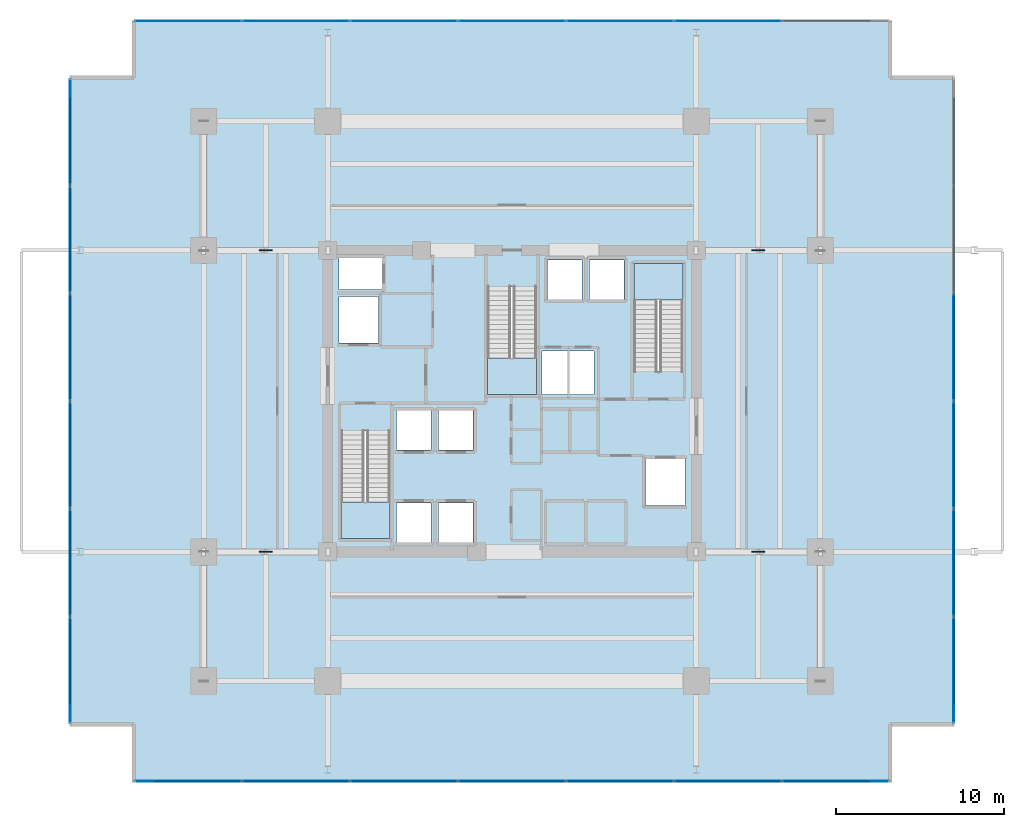
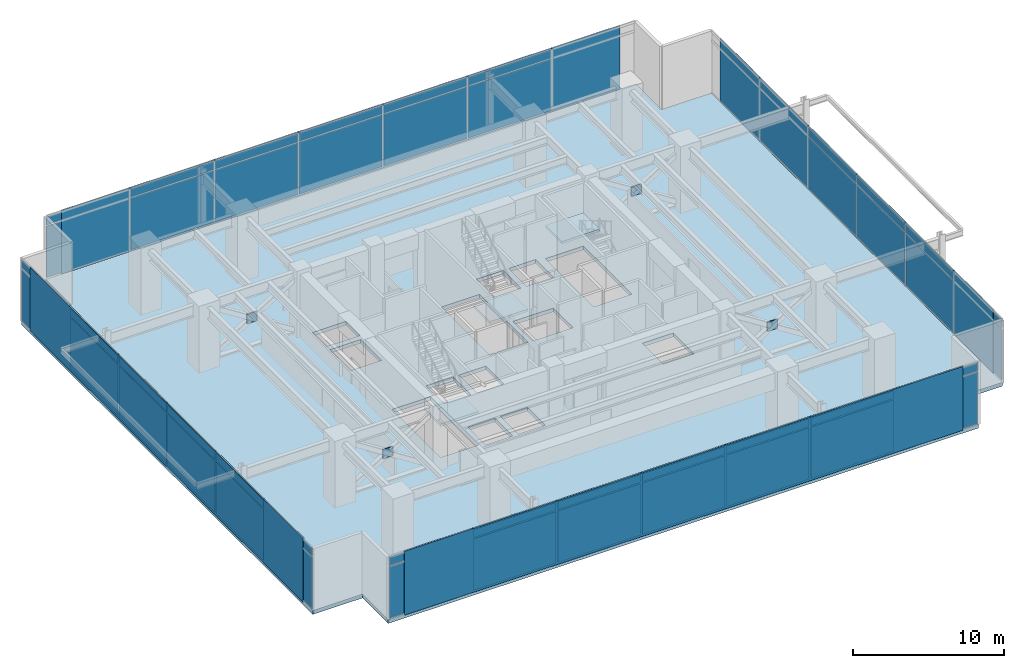
# One storey, part 21 of 26: 54 plates, 4 slabs, 7 elements without a shape of their own.
"""IFC4 building model written with IfcOpenShell, lengths in metres."""

from ifc_helpers import new_model, si_unit, direction, frame, origin, origin_2d, place, context, subcontext, project, spatial, polyline, rectangle, outline, extrude, material, layer, layer_set, type_object, element, aggregate, save


model = new_model("IFC4")

# Units and contexts
model_context = context("Model", 3, precision=1e-05, world=origin(), true_north=direction((0.0, 1.0)))
body_context = subcontext(model_context, "Body", "Model", "MODEL_VIEW")
ifc_project = project(units=[si_unit("LENGTHUNIT", "METRE"), si_unit("AREAUNIT", "SQUARE_METRE"), si_unit("VOLUMEUNIT", "CUBIC_METRE"), si_unit("PLANEANGLEUNIT", "RADIAN"), si_unit("MASSUNIT", "GRAM", prefix="KILO")], contexts=[model_context])

# Site, building, storey
site_placement = place(None, origin())
site = spatial("IfcSite", under=ifc_project, at=site_placement, CompositionType="ELEMENT")
building_placement = place(site_placement, origin())
building = spatial("IfcBuilding", under=site, at=building_placement, Name="Kovane Verandah Tower", CompositionType="ELEMENT")
storey_placement = place(building_placement, frame((0.0, 0.0, 113.0)))
storey = spatial("IfcBuildingStorey", under=building, at=storey_placement, Name="L26", CompositionType="ELEMENT", Elevation=113.0)

# Curtain wall, plates
ifc_material_1 = material(Name="Champagne Anodised Aluminium Frame with Low-E Clear Laminated Glass", Category="aluminium")
curtain_wall_type = type_object("IfcCurtainWallType", Name="CW-SYS-02-LOW", PredefinedType="NOTDEFINED", material=ifc_material_1)
curtain_wall_1_placement = place(storey_placement, origin())
curtain_wall_1 = element("IfcCurtainWall", 1, at=curtain_wall_1_placement, inside=storey, type_object=curtain_wall_type, Name="L26 S Unitised Curtain Wall", PredefinedType="NOTDEFINED")
ifc_material_2 = material(Name="Pale Champagne Anodised Aluminium Insulated Spandrel", Category="aluminium")
ifc_layer_1 = layer(ifc_material_2, 0.0400390625)
ifc_layer_set_1 = layer_set([ifc_layer_1], Name="Pale Champagne Anodised Aluminium Insulated Spandrel")
plate_type_1 = type_object("IfcPlateType", Name="PL-CW-SPD-40", PredefinedType="SHEET", material=ifc_layer_set_1)
plate_1_placement = place(storey_placement, frame((20.6591796875, 4.80517578125, 4.3701171875), z_axis=(0.0, 0.0, 1.0), x_axis=(1.0, 0.0, 0.0)))
plate_1 = element("IfcPlate", 2, at=plate_1_placement, type_object=plate_type_1, Name="L26 S Unitised Curtain Wall Spandrel Panel 1", PredefinedType="SHEET", context=body_context, shape_type="SweptSolid", body=[
    extrude(rectangle(XDim=6.306884765625, YDim=0.0400390625, at=origin_2d()), origin(), (0.0, 0.0, 1.0), 0.639892578125),
])
plate_2_placement = place(storey_placement, frame((27.106201171875, 4.80517578125, 4.3701171875), z_axis=(0.0, 0.0, 1.0), x_axis=(1.0, 0.0, 0.0)))
plate_2 = element("IfcPlate", 3, at=plate_2_placement, type_object=plate_type_1, Name="L26 S Unitised Curtain Wall Spandrel Panel 2", PredefinedType="SHEET", context=body_context, shape_type="SweptSolid", body=[
    extrude(rectangle(XDim=6.306884765625, YDim=0.0400390625, at=origin_2d()), origin(), (0.0, 0.0, 1.0), 0.639892578125),
])
plate_3_placement = place(storey_placement, frame((33.552978515625, 4.80517578125, 4.3701171875), z_axis=(0.0, 0.0, 1.0), x_axis=(1.0, 0.0, 0.0)))
plate_3 = element("IfcPlate", 4, at=plate_3_placement, type_object=plate_type_1, Name="L26 S Unitised Curtain Wall Spandrel Panel 3", PredefinedType="SHEET", context=body_context, shape_type="SweptSolid", body=[
    extrude(rectangle(XDim=6.306884765625, YDim=0.0400390625, at=origin_2d()), origin(), (0.0, 0.0, 1.0), 0.639892578125),
])
plate_4_placement = place(storey_placement, frame((40.0, 4.80517578125, 4.3701171875), z_axis=(0.0, 0.0, 1.0), x_axis=(1.0, 0.0, 0.0)))
plate_4 = element("IfcPlate", 5, at=plate_4_placement, type_object=plate_type_1, Name="L26 S Unitised Curtain Wall Spandrel Panel 4", PredefinedType="SHEET", context=body_context, shape_type="SweptSolid", body=[
    extrude(rectangle(XDim=6.306884765625, YDim=0.0400390625, at=origin_2d()), origin(), (0.0, 0.0, 1.0), 0.639892578125),
])
plate_5_placement = place(storey_placement, frame((46.447021484375, 4.80517578125, 4.3701171875), z_axis=(0.0, 0.0, 1.0), x_axis=(1.0, 0.0, 0.0)))
plate_5 = element("IfcPlate", 6, at=plate_5_placement, type_object=plate_type_1, Name="L26 S Unitised Curtain Wall Spandrel Panel 5", PredefinedType="SHEET", context=body_context, shape_type="SweptSolid", body=[
    extrude(rectangle(XDim=6.306884765625, YDim=0.0400390625, at=origin_2d()), origin(), (0.0, 0.0, 1.0), 0.639892578125),
])
plate_6_placement = place(storey_placement, frame((52.893798828125, 4.80517578125, 4.3701171875), z_axis=(0.0, 0.0, 1.0), x_axis=(1.0, 0.0, 0.0)))
plate_6 = element("IfcPlate", 7, at=plate_6_placement, type_object=plate_type_1, Name="L26 S Unitised Curtain Wall Spandrel Panel 6", PredefinedType="SHEET", context=body_context, shape_type="SweptSolid", body=[
    extrude(rectangle(XDim=6.306884765625, YDim=0.0400390625, at=origin_2d()), origin(), (0.0, 0.0, 1.0), 0.639892578125),
])
plate_7_placement = place(storey_placement, frame((59.3408203125, 4.80517578125, 4.3701171875), z_axis=(0.0, 0.0, 1.0), x_axis=(1.0, 0.0, 0.0)))
plate_7 = element("IfcPlate", 8, at=plate_7_placement, type_object=plate_type_1, Name="L26 S Unitised Curtain Wall Spandrel Panel 7", PredefinedType="SHEET", context=body_context, shape_type="SweptSolid", body=[
    extrude(rectangle(XDim=6.306884765625, YDim=0.0400390625, at=origin_2d()), origin(), (0.0, 0.0, 1.0), 0.639892578125),
])

curtain_wall_2_placement = place(storey_placement, origin())
curtain_wall_2 = element("IfcCurtainWall", 9, at=curtain_wall_2_placement, inside=storey, type_object=curtain_wall_type, Name="L26 E Unitised Curtain Wall", PredefinedType="NOTDEFINED")
plate_8_placement = place(storey_placement, frame((66.364013671875, 11.4208984375, 4.3701171875), z_axis=(0.0, 0.0, 1.0), x_axis=(0.0, 1.0, 0.0)))
plate_8 = element("IfcPlate", 10, at=plate_8_placement, type_object=plate_type_1, Name="L26 E Unitised Curtain Wall Spandrel Panel 1", PredefinedType="SHEET", context=body_context, shape_type="SweptSolid", body=[
    extrude(rectangle(XDim=6.29150390625, YDim=0.0400390625, at=origin_2d()), origin(), (0.0, 0.0, 1.0), 0.639892578125),
])
plate_9_placement = place(storey_placement, frame((66.364013671875, 17.8525390625, 4.3701171875), z_axis=(0.0, 0.0, 1.0), x_axis=(0.0, 1.0, 0.0)))
plate_9 = element("IfcPlate", 11, at=plate_9_placement, type_object=plate_type_1, Name="L26 E Unitised Curtain Wall Spandrel Panel 2", PredefinedType="SHEET", context=body_context, shape_type="SweptSolid", body=[
    extrude(rectangle(XDim=6.29150390625, YDim=0.0400390625, at=origin_2d()), origin(), (0.0, 0.0, 1.0), 0.639892578125),
])
plate_10_placement = place(storey_placement, frame((66.364013671875, 24.2841796875, 4.3701171875), z_axis=(0.0, 0.0, 1.0), x_axis=(0.0, 1.0, 0.0)))
plate_10 = element("IfcPlate", 12, at=plate_10_placement, type_object=plate_type_1, Name="L26 E Unitised Curtain Wall Spandrel Panel 3", PredefinedType="SHEET", context=body_context, shape_type="SweptSolid", body=[
    extrude(rectangle(XDim=6.29150390625, YDim=0.0400390625, at=origin_2d()), origin(), (0.0, 0.0, 1.0), 0.639892578125),
])
plate_11_placement = place(storey_placement, frame((66.364013671875, 30.7158203125, 4.3701171875), z_axis=(0.0, 0.0, 1.0), x_axis=(0.0, 1.0, 0.0)))
plate_11 = element("IfcPlate", 13, at=plate_11_placement, type_object=plate_type_1, Name="L26 E Unitised Curtain Wall Spandrel Panel 4", PredefinedType="SHEET", context=body_context, shape_type="SweptSolid", body=[
    extrude(rectangle(XDim=6.29150390625, YDim=0.0400390625, at=origin_2d()), origin(), (0.0, 0.0, 1.0), 0.639892578125),
])

curtain_wall_3_placement = place(storey_placement, origin())
curtain_wall_3 = element("IfcCurtainWall", 14, at=curtain_wall_3_placement, inside=storey, type_object=curtain_wall_type, Name="L26 N Unitised Curtain Wall", PredefinedType="NOTDEFINED")
plate_12_placement = place(storey_placement, frame((52.893798828125, 50.19482421875, 4.3701171875), z_axis=(0.0, 0.0, 1.0), x_axis=(-1.0, 0.0, 0.0)))
plate_12 = element("IfcPlate", 15, at=plate_12_placement, type_object=plate_type_1, Name="L26 N Unitised Curtain Wall Spandrel Panel 2", PredefinedType="SHEET", context=body_context, shape_type="SweptSolid", body=[
    extrude(rectangle(XDim=6.306884765625, YDim=0.0400390625, at=origin_2d()), origin(), (0.0, 0.0, 1.0), 0.639892578125),
])
plate_13_placement = place(storey_placement, frame((46.447021484375, 50.19482421875, 4.3701171875), z_axis=(0.0, 0.0, 1.0), x_axis=(-1.0, 0.0, 0.0)))
plate_13 = element("IfcPlate", 16, at=plate_13_placement, type_object=plate_type_1, Name="L26 N Unitised Curtain Wall Spandrel Panel 3", PredefinedType="SHEET", context=body_context, shape_type="SweptSolid", body=[
    extrude(rectangle(XDim=6.306884765625, YDim=0.0400390625, at=origin_2d()), origin(), (0.0, 0.0, 1.0), 0.639892578125),
])
plate_14_placement = place(storey_placement, frame((40.0, 50.19482421875, 4.3701171875), z_axis=(0.0, 0.0, 1.0), x_axis=(-1.0, 0.0, 0.0)))
plate_14 = element("IfcPlate", 17, at=plate_14_placement, type_object=plate_type_1, Name="L26 N Unitised Curtain Wall Spandrel Panel 4", PredefinedType="SHEET", context=body_context, shape_type="SweptSolid", body=[
    extrude(rectangle(XDim=6.306884765625, YDim=0.0400390625, at=origin_2d()), origin(), (0.0, 0.0, 1.0), 0.639892578125),
])
plate_15_placement = place(storey_placement, frame((33.552978515625, 50.19482421875, 4.3701171875), z_axis=(0.0, 0.0, 1.0), x_axis=(-1.0, 0.0, 0.0)))
plate_15 = element("IfcPlate", 18, at=plate_15_placement, type_object=plate_type_1, Name="L26 N Unitised Curtain Wall Spandrel Panel 5", PredefinedType="SHEET", context=body_context, shape_type="SweptSolid", body=[
    extrude(rectangle(XDim=6.306884765625, YDim=0.0400390625, at=origin_2d()), origin(), (0.0, 0.0, 1.0), 0.639892578125),
])
plate_16_placement = place(storey_placement, frame((27.106201171875, 50.19482421875, 4.3701171875), z_axis=(0.0, 0.0, 1.0), x_axis=(-1.0, 0.0, 0.0)))
plate_16 = element("IfcPlate", 19, at=plate_16_placement, type_object=plate_type_1, Name="L26 N Unitised Curtain Wall Spandrel Panel 6", PredefinedType="SHEET", context=body_context, shape_type="SweptSolid", body=[
    extrude(rectangle(XDim=6.306884765625, YDim=0.0400390625, at=origin_2d()), origin(), (0.0, 0.0, 1.0), 0.639892578125),
])
plate_17_placement = place(storey_placement, frame((20.6591796875, 50.19482421875, 4.3701171875), z_axis=(0.0, 0.0, 1.0), x_axis=(-1.0, 0.0, 0.0)))
plate_17 = element("IfcPlate", 20, at=plate_17_placement, type_object=plate_type_1, Name="L26 N Unitised Curtain Wall Spandrel Panel 7", PredefinedType="SHEET", context=body_context, shape_type="SweptSolid", body=[
    extrude(rectangle(XDim=6.306884765625, YDim=0.0400390625, at=origin_2d()), origin(), (0.0, 0.0, 1.0), 0.639892578125),
])

curtain_wall_4_placement = place(storey_placement, origin())
curtain_wall_4 = element("IfcCurtainWall", 21, at=curtain_wall_4_placement, inside=storey, type_object=curtain_wall_type, Name="L26 W Unitised Curtain Wall", PredefinedType="NOTDEFINED")
plate_18_placement = place(storey_placement, frame((13.635986328125, 43.5791015625, 4.3701171875), z_axis=(0.0, 0.0, 1.0), x_axis=(0.0, -1.0, 0.0)))
plate_18 = element("IfcPlate", 22, at=plate_18_placement, type_object=plate_type_1, Name="L26 W Unitised Curtain Wall Spandrel Panel 1", PredefinedType="SHEET", context=body_context, shape_type="SweptSolid", body=[
    extrude(rectangle(XDim=6.29150390625, YDim=0.0400390625, at=origin_2d()), origin(), (0.0, 0.0, 1.0), 0.639892578125),
])
plate_19_placement = place(storey_placement, frame((13.635986328125, 37.1474609375, 4.3701171875), z_axis=(0.0, 0.0, 1.0), x_axis=(0.0, -1.0, 0.0)))
plate_19 = element("IfcPlate", 23, at=plate_19_placement, type_object=plate_type_1, Name="L26 W Unitised Curtain Wall Spandrel Panel 2", PredefinedType="SHEET", context=body_context, shape_type="SweptSolid", body=[
    extrude(rectangle(XDim=6.29150390625, YDim=0.0400390625, at=origin_2d()), origin(), (0.0, 0.0, 1.0), 0.639892578125),
])
plate_20_placement = place(storey_placement, frame((13.635986328125, 30.7158203125, 4.3701171875), z_axis=(0.0, 0.0, 1.0), x_axis=(0.0, -1.0, 0.0)))
plate_20 = element("IfcPlate", 24, at=plate_20_placement, type_object=plate_type_1, Name="L26 W Unitised Curtain Wall Spandrel Panel 3", PredefinedType="SHEET", context=body_context, shape_type="SweptSolid", body=[
    extrude(rectangle(XDim=6.29150390625, YDim=0.0400390625, at=origin_2d()), origin(), (0.0, 0.0, 1.0), 0.639892578125),
])
plate_21_placement = place(storey_placement, frame((13.635986328125, 24.2841796875, 4.3701171875), z_axis=(0.0, 0.0, 1.0), x_axis=(0.0, -1.0, 0.0)))
plate_21 = element("IfcPlate", 25, at=plate_21_placement, type_object=plate_type_1, Name="L26 W Unitised Curtain Wall Spandrel Panel 4", PredefinedType="SHEET", context=body_context, shape_type="SweptSolid", body=[
    extrude(rectangle(XDim=6.29150390625, YDim=0.0400390625, at=origin_2d()), origin(), (0.0, 0.0, 1.0), 0.639892578125),
])
plate_22_placement = place(storey_placement, frame((13.635986328125, 17.8525390625, 4.3701171875), z_axis=(0.0, 0.0, 1.0), x_axis=(0.0, -1.0, 0.0)))
plate_22 = element("IfcPlate", 26, at=plate_22_placement, type_object=plate_type_1, Name="L26 W Unitised Curtain Wall Spandrel Panel 5", PredefinedType="SHEET", context=body_context, shape_type="SweptSolid", body=[
    extrude(rectangle(XDim=6.29150390625, YDim=0.0400390625, at=origin_2d()), origin(), (0.0, 0.0, 1.0), 0.639892578125),
])
plate_23_placement = place(storey_placement, frame((13.635986328125, 11.4208984375, 4.3701171875), z_axis=(0.0, 0.0, 1.0), x_axis=(0.0, -1.0, 0.0)))
plate_23 = element("IfcPlate", 27, at=plate_23_placement, type_object=plate_type_1, Name="L26 W Unitised Curtain Wall Spandrel Panel 6", PredefinedType="SHEET", context=body_context, shape_type="SweptSolid", body=[
    extrude(rectangle(XDim=6.29150390625, YDim=0.0400390625, at=origin_2d()), origin(), (0.0, 0.0, 1.0), 0.639892578125),
])

# Plate
ifc_material_3 = material(Name="Clear Low-E Laminated Double Glazing", Category="glass")
ifc_layer_2 = layer(ifc_material_3, 0.031982421875)
ifc_layer_set_2 = layer_set([ifc_layer_2], Name="Clear Low-E Laminated Double Glazing")
plate_type_2 = type_object("IfcPlateType", Name="PL-CW-VIS-32", PredefinedType="CURTAIN_PANEL", material=ifc_layer_set_2)
plate_24_placement = place(storey_placement, frame((20.6591796875, 4.80517578125, 0.10009765625), z_axis=(0.0, 0.0, 1.0), x_axis=(1.0, 0.0, 0.0)))
plate_24 = element("IfcPlate", 28, at=plate_24_placement, type_object=plate_type_2, Name="L26 S Unitised Curtain Wall Vision Panel 1", PredefinedType="CURTAIN_PANEL", context=body_context, shape_type="SweptSolid", body=[
    extrude(rectangle(XDim=6.306884765625, YDim=0.031982421875, at=origin_2d()), origin(), (0.0, 0.0, 1.0), 4.169921875),
])

plate_25_placement = place(storey_placement, frame((27.106201171875, 4.80517578125, 0.10009765625), z_axis=(0.0, 0.0, 1.0), x_axis=(1.0, 0.0, 0.0)))
plate_25 = element("IfcPlate", 29, at=plate_25_placement, type_object=plate_type_2, Name="L26 S Unitised Curtain Wall Vision Panel 2", PredefinedType="CURTAIN_PANEL", context=body_context, shape_type="SweptSolid", body=[
    extrude(rectangle(XDim=6.306884765625, YDim=0.031982421875, at=origin_2d()), origin(), (0.0, 0.0, 1.0), 4.169921875),
])

plate_26_placement = place(storey_placement, frame((33.552978515625, 4.80517578125, 0.10009765625), z_axis=(0.0, 0.0, 1.0), x_axis=(1.0, 0.0, 0.0)))
plate_26 = element("IfcPlate", 30, at=plate_26_placement, type_object=plate_type_2, Name="L26 S Unitised Curtain Wall Vision Panel 3", PredefinedType="CURTAIN_PANEL", context=body_context, shape_type="SweptSolid", body=[
    extrude(rectangle(XDim=6.306884765625, YDim=0.031982421875, at=origin_2d()), origin(), (0.0, 0.0, 1.0), 4.169921875),
])

plate_27_placement = place(storey_placement, frame((40.0, 4.80517578125, 0.10009765625), z_axis=(0.0, 0.0, 1.0), x_axis=(1.0, 0.0, 0.0)))
plate_27 = element("IfcPlate", 31, at=plate_27_placement, type_object=plate_type_2, Name="L26 S Unitised Curtain Wall Vision Panel 4", PredefinedType="CURTAIN_PANEL", context=body_context, shape_type="SweptSolid", body=[
    extrude(rectangle(XDim=6.306884765625, YDim=0.031982421875, at=origin_2d()), origin(), (0.0, 0.0, 1.0), 4.169921875),
])

plate_28_placement = place(storey_placement, frame((46.447021484375, 4.80517578125, 0.10009765625), z_axis=(0.0, 0.0, 1.0), x_axis=(1.0, 0.0, 0.0)))
plate_28 = element("IfcPlate", 32, at=plate_28_placement, type_object=plate_type_2, Name="L26 S Unitised Curtain Wall Vision Panel 5", PredefinedType="CURTAIN_PANEL", context=body_context, shape_type="SweptSolid", body=[
    extrude(rectangle(XDim=6.306884765625, YDim=0.031982421875, at=origin_2d()), origin(), (0.0, 0.0, 1.0), 4.169921875),
])

plate_29_placement = place(storey_placement, frame((52.893798828125, 4.80517578125, 0.10009765625), z_axis=(0.0, 0.0, 1.0), x_axis=(1.0, 0.0, 0.0)))
plate_29 = element("IfcPlate", 33, at=plate_29_placement, type_object=plate_type_2, Name="L26 S Unitised Curtain Wall Vision Panel 6", PredefinedType="CURTAIN_PANEL", context=body_context, shape_type="SweptSolid", body=[
    extrude(rectangle(XDim=6.306884765625, YDim=0.031982421875, at=origin_2d()), origin(), (0.0, 0.0, 1.0), 4.169921875),
])

plate_30_placement = place(storey_placement, frame((59.3408203125, 4.80517578125, 0.10009765625), z_axis=(0.0, 0.0, 1.0), x_axis=(1.0, 0.0, 0.0)))
plate_30 = element("IfcPlate", 34, at=plate_30_placement, type_object=plate_type_2, Name="L26 S Unitised Curtain Wall Vision Panel 7", PredefinedType="CURTAIN_PANEL", context=body_context, shape_type="SweptSolid", body=[
    extrude(rectangle(XDim=6.306884765625, YDim=0.031982421875, at=origin_2d()), origin(), (0.0, 0.0, 1.0), 4.169921875),
])

aggregate(curtain_wall_1, [plate_24, plate_1, plate_25, plate_2, plate_26, plate_3, plate_27, plate_4, plate_28, plate_5, plate_29, plate_6, plate_30, plate_7])

plate_31_placement = place(storey_placement, frame((66.364013671875, 11.4208984375, 0.10009765625), z_axis=(0.0, 0.0, 1.0), x_axis=(0.0, 1.0, 0.0)))
plate_31 = element("IfcPlate", 35, at=plate_31_placement, type_object=plate_type_2, Name="L26 E Unitised Curtain Wall Vision Panel 1", PredefinedType="CURTAIN_PANEL", context=body_context, shape_type="SweptSolid", body=[
    extrude(rectangle(XDim=6.29150390625, YDim=0.031982421875, at=origin_2d()), origin(), (0.0, 0.0, 1.0), 4.169921875),
])

plate_32_placement = place(storey_placement, frame((66.364013671875, 17.8525390625, 0.10009765625), z_axis=(0.0, 0.0, 1.0), x_axis=(0.0, 1.0, 0.0)))
plate_32 = element("IfcPlate", 36, at=plate_32_placement, type_object=plate_type_2, Name="L26 E Unitised Curtain Wall Vision Panel 2", PredefinedType="CURTAIN_PANEL", context=body_context, shape_type="SweptSolid", body=[
    extrude(rectangle(XDim=6.29150390625, YDim=0.031982421875, at=origin_2d()), origin(), (0.0, 0.0, 1.0), 4.169921875),
])

plate_33_placement = place(storey_placement, frame((66.364013671875, 24.2841796875, 0.10009765625), z_axis=(0.0, 0.0, 1.0), x_axis=(0.0, 1.0, 0.0)))
plate_33 = element("IfcPlate", 37, at=plate_33_placement, type_object=plate_type_2, Name="L26 E Unitised Curtain Wall Vision Panel 3", PredefinedType="CURTAIN_PANEL", context=body_context, shape_type="SweptSolid", body=[
    extrude(rectangle(XDim=6.29150390625, YDim=0.031982421875, at=origin_2d()), origin(), (0.0, 0.0, 1.0), 4.169921875),
])

plate_34_placement = place(storey_placement, frame((66.364013671875, 30.7158203125, 0.10009765625), z_axis=(0.0, 0.0, 1.0), x_axis=(0.0, 1.0, 0.0)))
plate_34 = element("IfcPlate", 38, at=plate_34_placement, type_object=plate_type_2, Name="L26 E Unitised Curtain Wall Vision Panel 4", PredefinedType="CURTAIN_PANEL", context=body_context, shape_type="SweptSolid", body=[
    extrude(rectangle(XDim=6.29150390625, YDim=0.031982421875, at=origin_2d()), origin(), (0.0, 0.0, 1.0), 4.169921875),
])

aggregate(curtain_wall_2, [plate_31, plate_8, plate_32, plate_9, plate_33, plate_10, plate_34, plate_11])

plate_35_placement = place(storey_placement, frame((52.893798828125, 50.19482421875, 0.10009765625), z_axis=(0.0, 0.0, 1.0), x_axis=(-1.0, 0.0, 0.0)))
plate_35 = element("IfcPlate", 39, at=plate_35_placement, type_object=plate_type_2, Name="L26 N Unitised Curtain Wall Vision Panel 2", PredefinedType="CURTAIN_PANEL", context=body_context, shape_type="SweptSolid", body=[
    extrude(rectangle(XDim=6.306884765625, YDim=0.031982421875, at=origin_2d()), origin(), (0.0, 0.0, 1.0), 4.169921875),
])

plate_36_placement = place(storey_placement, frame((46.447021484375, 50.19482421875, 0.10009765625), z_axis=(0.0, 0.0, 1.0), x_axis=(-1.0, 0.0, 0.0)))
plate_36 = element("IfcPlate", 40, at=plate_36_placement, type_object=plate_type_2, Name="L26 N Unitised Curtain Wall Vision Panel 3", PredefinedType="CURTAIN_PANEL", context=body_context, shape_type="SweptSolid", body=[
    extrude(rectangle(XDim=6.306884765625, YDim=0.031982421875, at=origin_2d()), origin(), (0.0, 0.0, 1.0), 4.169921875),
])

plate_37_placement = place(storey_placement, frame((40.0, 50.19482421875, 0.10009765625), z_axis=(0.0, 0.0, 1.0), x_axis=(-1.0, 0.0, 0.0)))
plate_37 = element("IfcPlate", 41, at=plate_37_placement, type_object=plate_type_2, Name="L26 N Unitised Curtain Wall Vision Panel 4", PredefinedType="CURTAIN_PANEL", context=body_context, shape_type="SweptSolid", body=[
    extrude(rectangle(XDim=6.306884765625, YDim=0.031982421875, at=origin_2d()), origin(), (0.0, 0.0, 1.0), 4.169921875),
])

plate_38_placement = place(storey_placement, frame((33.552978515625, 50.19482421875, 0.10009765625), z_axis=(0.0, 0.0, 1.0), x_axis=(-1.0, 0.0, 0.0)))
plate_38 = element("IfcPlate", 42, at=plate_38_placement, type_object=plate_type_2, Name="L26 N Unitised Curtain Wall Vision Panel 5", PredefinedType="CURTAIN_PANEL", context=body_context, shape_type="SweptSolid", body=[
    extrude(rectangle(XDim=6.306884765625, YDim=0.031982421875, at=origin_2d()), origin(), (0.0, 0.0, 1.0), 4.169921875),
])

plate_39_placement = place(storey_placement, frame((27.106201171875, 50.19482421875, 0.10009765625), z_axis=(0.0, 0.0, 1.0), x_axis=(-1.0, 0.0, 0.0)))
plate_39 = element("IfcPlate", 43, at=plate_39_placement, type_object=plate_type_2, Name="L26 N Unitised Curtain Wall Vision Panel 6", PredefinedType="CURTAIN_PANEL", context=body_context, shape_type="SweptSolid", body=[
    extrude(rectangle(XDim=6.306884765625, YDim=0.031982421875, at=origin_2d()), origin(), (0.0, 0.0, 1.0), 4.169921875),
])

plate_40_placement = place(storey_placement, frame((20.6591796875, 50.19482421875, 0.10009765625), z_axis=(0.0, 0.0, 1.0), x_axis=(-1.0, 0.0, 0.0)))
plate_40 = element("IfcPlate", 44, at=plate_40_placement, type_object=plate_type_2, Name="L26 N Unitised Curtain Wall Vision Panel 7", PredefinedType="CURTAIN_PANEL", context=body_context, shape_type="SweptSolid", body=[
    extrude(rectangle(XDim=6.306884765625, YDim=0.031982421875, at=origin_2d()), origin(), (0.0, 0.0, 1.0), 4.169921875),
])

aggregate(curtain_wall_3, [plate_35, plate_12, plate_36, plate_13, plate_37, plate_14, plate_38, plate_15, plate_39, plate_16, plate_40, plate_17])

plate_41_placement = place(storey_placement, frame((13.635986328125, 43.5791015625, 0.10009765625), z_axis=(0.0, 0.0, 1.0), x_axis=(0.0, -1.0, 0.0)))
plate_41 = element("IfcPlate", 45, at=plate_41_placement, type_object=plate_type_2, Name="L26 W Unitised Curtain Wall Vision Panel 1", PredefinedType="CURTAIN_PANEL", context=body_context, shape_type="SweptSolid", body=[
    extrude(rectangle(XDim=6.29150390625, YDim=0.031982421875, at=origin_2d()), origin(), (0.0, 0.0, 1.0), 4.169921875),
])

plate_42_placement = place(storey_placement, frame((13.635986328125, 37.1474609375, 0.10009765625), z_axis=(0.0, 0.0, 1.0), x_axis=(0.0, -1.0, 0.0)))
plate_42 = element("IfcPlate", 46, at=plate_42_placement, type_object=plate_type_2, Name="L26 W Unitised Curtain Wall Vision Panel 2", PredefinedType="CURTAIN_PANEL", context=body_context, shape_type="SweptSolid", body=[
    extrude(rectangle(XDim=6.29150390625, YDim=0.031982421875, at=origin_2d()), origin(), (0.0, 0.0, 1.0), 4.169921875),
])

plate_43_placement = place(storey_placement, frame((13.635986328125, 30.7158203125, 0.10009765625), z_axis=(0.0, 0.0, 1.0), x_axis=(0.0, -1.0, 0.0)))
plate_43 = element("IfcPlate", 47, at=plate_43_placement, type_object=plate_type_2, Name="L26 W Unitised Curtain Wall Vision Panel 3", PredefinedType="CURTAIN_PANEL", context=body_context, shape_type="SweptSolid", body=[
    extrude(rectangle(XDim=6.29150390625, YDim=0.031982421875, at=origin_2d()), origin(), (0.0, 0.0, 1.0), 4.169921875),
])

plate_44_placement = place(storey_placement, frame((13.635986328125, 24.2841796875, 0.10009765625), z_axis=(0.0, 0.0, 1.0), x_axis=(0.0, -1.0, 0.0)))
plate_44 = element("IfcPlate", 48, at=plate_44_placement, type_object=plate_type_2, Name="L26 W Unitised Curtain Wall Vision Panel 4", PredefinedType="CURTAIN_PANEL", context=body_context, shape_type="SweptSolid", body=[
    extrude(rectangle(XDim=6.29150390625, YDim=0.031982421875, at=origin_2d()), origin(), (0.0, 0.0, 1.0), 4.169921875),
])

plate_45_placement = place(storey_placement, frame((13.635986328125, 17.8525390625, 0.10009765625), z_axis=(0.0, 0.0, 1.0), x_axis=(0.0, -1.0, 0.0)))
plate_45 = element("IfcPlate", 49, at=plate_45_placement, type_object=plate_type_2, Name="L26 W Unitised Curtain Wall Vision Panel 5", PredefinedType="CURTAIN_PANEL", context=body_context, shape_type="SweptSolid", body=[
    extrude(rectangle(XDim=6.29150390625, YDim=0.031982421875, at=origin_2d()), origin(), (0.0, 0.0, 1.0), 4.169921875),
])

plate_46_placement = place(storey_placement, frame((13.635986328125, 11.4208984375, 0.10009765625), z_axis=(0.0, 0.0, 1.0), x_axis=(0.0, -1.0, 0.0)))
plate_46 = element("IfcPlate", 50, at=plate_46_placement, type_object=plate_type_2, Name="L26 W Unitised Curtain Wall Vision Panel 6", PredefinedType="CURTAIN_PANEL", context=body_context, shape_type="SweptSolid", body=[
    extrude(rectangle(XDim=6.29150390625, YDim=0.031982421875, at=origin_2d()), origin(), (0.0, 0.0, 1.0), 4.169921875),
])

aggregate(curtain_wall_4, [plate_41, plate_18, plate_42, plate_19, plate_43, plate_20, plate_44, plate_21, plate_45, plate_22, plate_46, plate_23])

# Plates
ifc_material_4 = material(Name="Cyclone-Rated Acoustic Storm Aluminium Louvre", Category="aluminium")
ifc_layer_3 = layer(ifc_material_4, 0.074951171875)
ifc_layer_set_3 = layer_set([ifc_layer_3], Name="Cyclone-Rated Acoustic Storm Aluminium Louvre")
plate_type_3 = type_object("IfcPlateType", Name="PL-LOUVRE-75", PredefinedType="USERDEFINED", material=ifc_layer_set_3)
plate_47_placement = place(storey_placement, frame((40.0, 4.7900390625, -0.02001953125), z_axis=(0.0, 0.0, 1.0), x_axis=(1.0, 0.0, 0.0)))
element("IfcPlate", 51, at=plate_47_placement, inside=storey, type_object=plate_type_3, Name="L26 S Cyclone Storm Louvre Bank", ObjectType="LOUVRE", PredefinedType="USERDEFINED", context=body_context, shape_type="SweptSolid", body=[
    extrude(rectangle(XDim=42.72802734375, YDim=0.074951171875, at=origin_2d()), origin(), (0.0, 0.0, 1.0), 5.159912109375),
])
plate_48_placement = place(storey_placement, frame((66.379150390625, 27.5, -0.02001953125), z_axis=(0.0, 0.0, 1.0), x_axis=(0.0, 1.0, 0.0)))
element("IfcPlate", 52, at=plate_48_placement, inside=storey, type_object=plate_type_3, Name="L26 E Cyclone Storm Louvre Bank", ObjectType="LOUVRE", PredefinedType="USERDEFINED", context=body_context, shape_type="SweptSolid", body=[
    extrude(rectangle(XDim=36.18994140625, YDim=0.074951171875, at=origin_2d()), origin(), (0.0, 0.0, 1.0), 5.159912109375),
])
plate_49_placement = place(storey_placement, frame((40.0, 50.2099609375, -0.02001953125), z_axis=(0.0, 0.0, 1.0), x_axis=(-1.0, 0.0, 0.0)))
element("IfcPlate", 53, at=plate_49_placement, inside=storey, type_object=plate_type_3, Name="L26 N Cyclone Storm Louvre Bank", ObjectType="LOUVRE", PredefinedType="USERDEFINED", context=body_context, shape_type="SweptSolid", body=[
    extrude(rectangle(XDim=42.72802734375, YDim=0.074951171875, at=origin_2d()), origin(), (0.0, 0.0, 1.0), 5.159912109375),
])
plate_50_placement = place(storey_placement, frame((13.620849609375, 27.5, -0.02001953125), z_axis=(0.0, 0.0, 1.0), x_axis=(0.0, -1.0, 0.0)))
element("IfcPlate", 54, at=plate_50_placement, inside=storey, type_object=plate_type_3, Name="L26 W Cyclone Storm Louvre Bank", ObjectType="LOUVRE", PredefinedType="USERDEFINED", context=body_context, shape_type="SweptSolid", body=[
    extrude(rectangle(XDim=36.18994140625, YDim=0.074951171875, at=origin_2d()), origin(), (0.0, 0.0, 1.0), 5.159912109375),
])
ifc_material_5 = material(Name="Steel S460", Category="steel")
ifc_layer_4 = layer(ifc_material_5, 0.06005859375)
ifc_layer_set_4 = layer_set([ifc_layer_4], Name="Steel S460")
plate_type_4 = type_object("IfcPlateType", Name="PL-XNODE-60", PredefinedType="USERDEFINED", material=ifc_layer_set_4)
for number, where, z_axis, x_axis, name in (
    (55, (25.300048828125, 18.5, 2.094970703125), (0.0, 0.0, 1.0), (-1.0, 0.0, 0.0), "L26 Outrigger X-Brace Crossing Gusset OW1"),
    (56, (25.300048828125, 36.5, 2.094970703125), (0.0, 0.0, 1.0), (-1.0, 0.0, 0.0), "L26 Outrigger X-Brace Crossing Gusset OW2"),
    (57, (54.699951171875, 18.5, 2.094970703125), (0.0, 0.0, 1.0), (1.0, 0.0, 0.0), "L26 Outrigger X-Brace Crossing Gusset OE1"),
    (58, (54.699951171875, 36.5, 2.094970703125), (0.0, 0.0, 1.0), (1.0, 0.0, 0.0), "L26 Outrigger X-Brace Crossing Gusset OE2"),
):
    element("IfcPlate", number, at=place(storey_placement, frame(where, z_axis=z_axis, x_axis=x_axis)), inside=storey, type_object=plate_type_4, Name=name, ObjectType="GUSSET", PredefinedType="USERDEFINED", context=body_context, shape_type="SweptSolid", body=[
        extrude(rectangle(XDim=0.75, YDim=0.06005859375, at=origin_2d()), origin(), (0.0, 0.0, 1.0), 0.75),
    ])

# Slab
ifc_material_6 = material(Name="Concrete C60/75", Category="concrete")
ifc_layer_5 = layer(ifc_material_6, 0.300048828125)
ifc_layer_set_5 = layer_set([ifc_layer_5], Name="Concrete C60/75")
slab_type_1 = type_object("IfcSlabType", Name="SL-HVY-300", PredefinedType="FLOOR", material=ifc_layer_set_5)
slab_1_placement = place(storey_placement, frame((0.0, 0.0, -0.300048828125)))
element("IfcSlab", 59, at=slab_1_placement, inside=storey, type_object=slab_type_1, Name="L26 Structural Floor Slab", PredefinedType="FLOOR", context=body_context, shape_type="SweptSolid", body=[
    extrude(outline(polyline([(17.435791015625, 4.80517578125), (62.564208984375, 4.80517578125), (62.564208984375, 8.205078125), (66.364013671875, 8.205078125), (66.364013671875, 46.794921875), (62.564208984375, 46.794921875), (62.564208984375, 50.19482421875), (17.435791015625, 50.19482421875), (17.435791015625, 46.794921875), (13.635986328125, 46.794921875), (13.635986328125, 8.205078125), (17.435791015625, 8.205078125), (17.435791015625, 4.80517578125)]), holes=[polyline([(29.800048828125, 19.300048828125), (32.719970703125, 19.300048828125), (32.719970703125, 25.705078125), (29.800048828125, 25.705078125), (29.800048828125, 19.300048828125)]), polyline([(47.280029296875, 29.294921875), (50.199951171875, 29.294921875), (50.199951171875, 35.699951171875), (47.280029296875, 35.699951171875), (47.280029296875, 29.294921875)]), polyline([(38.5400390625, 27.89990234375), (41.4599609375, 27.89990234375), (41.4599609375, 34.304931640625), (38.5400390625, 34.304931640625), (38.5400390625, 27.89990234375)]), polyline([(29.669921875, 30.969970703125), (32.030029296875, 30.969970703125), (32.030029296875, 33.72998046875), (29.669921875, 33.72998046875), (29.669921875, 30.969970703125)]), polyline([(47.969970703125, 21.27001953125), (50.330078125, 21.27001953125), (50.330078125, 24.030029296875), (47.969970703125, 24.030029296875), (47.969970703125, 21.27001953125)]), polyline([(29.669921875, 34.169921875), (32.22998046875, 34.169921875), (32.22998046875, 36.030029296875), (29.669921875, 36.030029296875), (29.669921875, 34.169921875)]), polyline([(33.1201171875, 19.070068359375), (35.179931640625, 19.070068359375), (35.179931640625, 21.429931640625), (33.1201171875, 21.429931640625), (33.1201171875, 19.070068359375)]), polyline([(35.6201171875, 19.070068359375), (37.679931640625, 19.070068359375), (37.679931640625, 21.429931640625), (35.6201171875, 21.429931640625), (35.6201171875, 19.070068359375)]), polyline([(33.1201171875, 24.570068359375), (35.179931640625, 24.570068359375), (35.179931640625, 26.929931640625), (33.1201171875, 26.929931640625), (33.1201171875, 24.570068359375)]), polyline([(35.6201171875, 24.570068359375), (37.679931640625, 24.570068359375), (37.679931640625, 26.929931640625), (35.6201171875, 26.929931640625), (35.6201171875, 24.570068359375)]), polyline([(42.1201171875, 33.570068359375), (44.179931640625, 33.570068359375), (44.179931640625, 35.929931640625), (42.1201171875, 35.929931640625), (42.1201171875, 33.570068359375)]), polyline([(44.6201171875, 33.570068359375), (46.679931640625, 33.570068359375), (46.679931640625, 35.929931640625), (44.6201171875, 35.929931640625), (44.6201171875, 33.570068359375)]), polyline([(41.800048828125, 27.89990234375), (44.89990234375, 27.89990234375), (44.89990234375, 30.5), (41.800048828125, 30.5), (41.800048828125, 27.89990234375)])]), origin(), (0.0, 0.0, 1.0), 0.300048828125),
])

# Stair, slab
ifc_material_7 = material(Name="Concrete C45/55", Category="concrete")
stair_type = type_object("IfcStairType", Name="ST-CORE-1380", PredefinedType="HALF_TURN_STAIR", material=ifc_material_7)
stair_1_placement = place(storey_placement, origin())
stair_1 = element("IfcStair", 60, at=stair_1_placement, inside=storey, type_object=stair_type, Name="L26 Exit Stair ST-01", PredefinedType="HALF_TURN_STAIR")
ifc_layer_6 = layer(ifc_material_7, 0.199951171875)
ifc_layer_set_6 = layer_set([ifc_layer_6], Name="Concrete C45/55")
slab_type_2 = type_object("IfcSlabType", Name="SL-LAND-200", PredefinedType="LANDING", material=ifc_layer_set_6)
slab_2_placement = place(storey_placement, frame((0.0, 0.0, 2.5)))
slab_2 = element("IfcSlab", 61, at=slab_2_placement, type_object=slab_type_2, Name="ST-01 landing 1", PredefinedType="LANDING", context=body_context, shape_type="SweptSolid", body=[
    extrude(outline(polyline([(29.800048828125, 21.47509765625), (29.800048828125, 19.300048828125), (32.719970703125, 19.300048828125), (32.719970703125, 21.47509765625), (29.800048828125, 21.47509765625)])), origin(), (0.0, 0.0, 1.0), 0.199951171875),
])
aggregate(stair_1, [slab_2])

stair_2_placement = place(storey_placement, origin())
stair_2 = element("IfcStair", 62, at=stair_2_placement, inside=storey, type_object=stair_type, Name="L26 Exit Stair ST-02", PredefinedType="HALF_TURN_STAIR")
slab_3_placement = place(storey_placement, frame((0.0, 0.0, 2.5)))
slab_3 = element("IfcSlab", 63, at=slab_3_placement, type_object=slab_type_2, Name="ST-02 landing 1", PredefinedType="LANDING", context=body_context, shape_type="SweptSolid", body=[
    extrude(outline(polyline([(50.199951171875, 33.52490234375), (50.199951171875, 35.699951171875), (47.280029296875, 35.699951171875), (47.280029296875, 33.52490234375), (50.199951171875, 33.52490234375)])), origin(), (0.0, 0.0, 1.0), 0.199951171875),
])
aggregate(stair_2, [slab_3])

stair_3_placement = place(storey_placement, origin())
stair_3 = element("IfcStair", 64, at=stair_3_placement, inside=storey, type_object=stair_type, Name="L26 Exit Stair ST-03", PredefinedType="HALF_TURN_STAIR")
slab_4_placement = place(storey_placement, frame((0.0, 0.0, 2.5)))
slab_4 = element("IfcSlab", 65, at=slab_4_placement, type_object=slab_type_2, Name="ST-03 landing 1", PredefinedType="LANDING", context=body_context, shape_type="SweptSolid", body=[
    extrude(outline(polyline([(38.5400390625, 30.074951171875), (38.5400390625, 27.89990234375), (41.4599609375, 27.89990234375), (41.4599609375, 30.074951171875), (38.5400390625, 30.074951171875)])), origin(), (0.0, 0.0, 1.0), 0.199951171875),
])
aggregate(stair_3, [slab_4])

save(model, "model.ifc")
